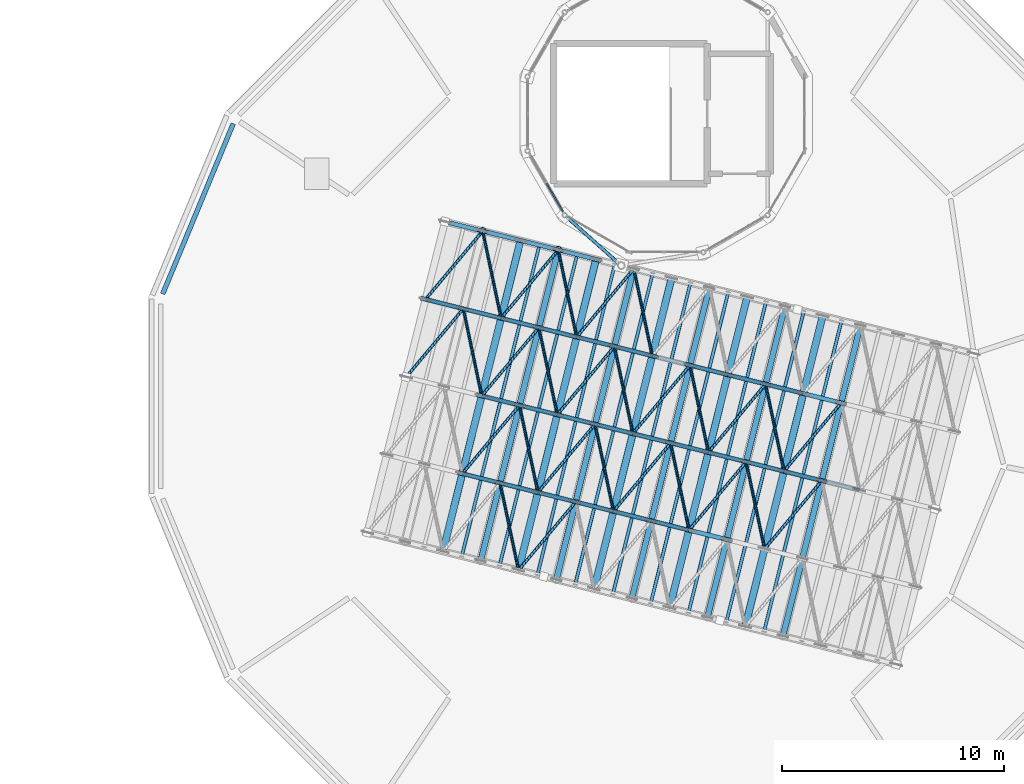
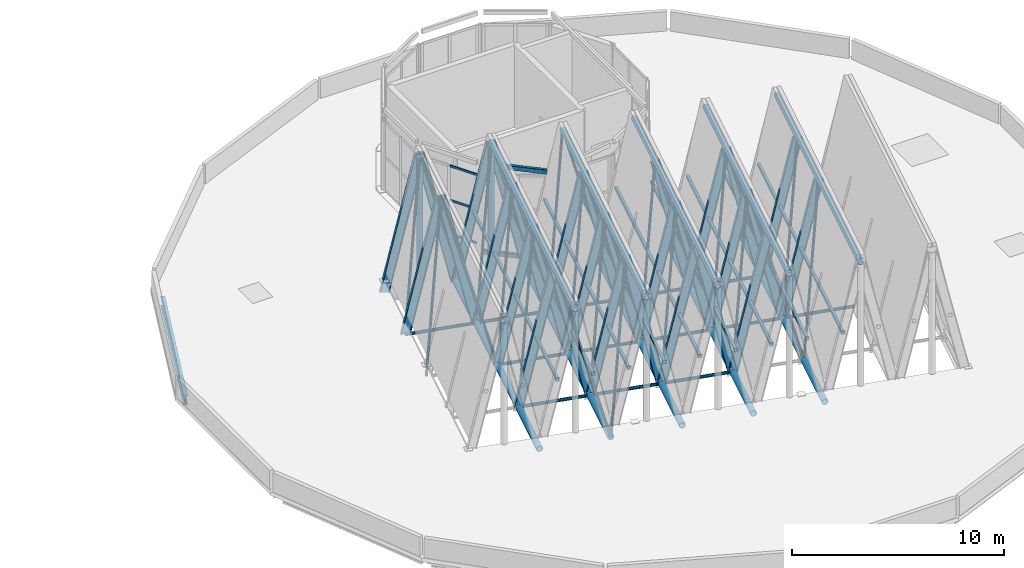
# One storey, part 12 of 51: 95 members, 3 beams, 1 element without a shape of its own.
"""IFC4 building model written with IfcOpenShell, lengths in metres."""

from ifc_helpers import new_model, si_unit, direction, frame, origin, origin_2d, place, context, subcontext, project, spatial, rectangle, hollow_rectangle, hollow_circle, i_section, extrude, material, material_profile, profile_set, type_object, element, aggregate, save


model = new_model("IFC4")

# Units and contexts
model_context = context("Model", 3, precision=1e-05, world=origin(), true_north=direction((0.0, 1.0)))
body_context = subcontext(model_context, "Body", "Model", "MODEL_VIEW")
ifc_project = project(units=[si_unit("LENGTHUNIT", "METRE"), si_unit("AREAUNIT", "SQUARE_METRE"), si_unit("VOLUMEUNIT", "CUBIC_METRE"), si_unit("PLANEANGLEUNIT", "RADIAN"), si_unit("MASSUNIT", "GRAM", prefix="KILO")], contexts=[model_context])

# Site, building, storey
site_placement = place(None, origin())
site = spatial("IfcSite", under=ifc_project, at=site_placement, CompositionType="ELEMENT")
building_placement = place(site_placement, origin())
building = spatial("IfcBuilding", under=site, at=building_placement, Name="Wrenclough Park School", CompositionType="ELEMENT")
storey_placement = place(building_placement, frame((0.0, 0.0, 16.800048828125)))
storey = spatial("IfcBuildingStorey", under=building, at=storey_placement, Name="L04", CompositionType="ELEMENT", Elevation=16.800048828125)

# Curtain wall, members
ifc_material_1 = material(Name="Thermally broken aluminium and low-e glass curtain wall", Category="aluminium")
curtain_wall_type = type_object("IfcCurtainWallType", Name="ENV-CW-16", PredefinedType="USERDEFINED", material=ifc_material_1)
curtain_wall_placement = place(storey_placement, origin())
curtain_wall = element("IfcCurtainWall", 1, at=curtain_wall_placement, inside=storey, type_object=curtain_wall_type, Name="D1-SH cylindrical white-glazed stair-head curtain wall 184", ObjectType="CURTAIN WALL", PredefinedType="USERDEFINED")
ifc_material_2 = material(Name="Thermally broken anodised aluminium", Category="aluminium")
ifc_material_profile_1 = material_profile(ifc_material_2, rectangle(XDim=0.06005859375, YDim=0.1201171875, at=origin_2d()), Name="AL TRANSOM 60x120")
ifc_profile_set_1 = profile_set([ifc_material_profile_1], Name="Thermally broken anodised aluminium")
member_type_1 = type_object("IfcMemberType", Name="ENV-CWT-1", PredefinedType="USERDEFINED", material=ifc_profile_set_1)
member_1_placement = place(storey_placement, frame((150.829833984375, 36.06494140625, 0.030029296875), z_axis=(0.500037157592, -0.866003949776, 0.0), x_axis=(0.866003949776, 0.500037157592, 0.0)))
member_1 = element("IfcMember", 2, at=member_1_placement, type_object=member_type_1, Name="CW-16 transom 2.1", ObjectType="TRANSOM", PredefinedType="USERDEFINED", context=body_context, shape_type="SweptSolid", body=[
    extrude(rectangle(XDim=0.06005859375, YDim=0.1201171875, at=origin_2d()), origin(), (0.0, 0.0, 1.0), 1.455078125),
])
member_2_placement = place(storey_placement, frame((150.829833984375, 36.06494140625, 2.0), z_axis=(0.500037157592, -0.866003949776, 0.0), x_axis=(0.866003949776, 0.500037157592, 0.0)))
member_2 = element("IfcMember", 3, at=member_2_placement, type_object=member_type_1, Name="CW-16 transom 2.2", ObjectType="TRANSOM", PredefinedType="USERDEFINED", context=body_context, shape_type="SweptSolid", body=[
    extrude(rectangle(XDim=0.06005859375, YDim=0.1201171875, at=origin_2d()), origin(), (0.0, 0.0, 1.0), 1.455078125),
])
member_3_placement = place(storey_placement, frame((150.829833984375, 36.06494140625, 3.969970703125), z_axis=(0.500037157592, -0.866003949776, 0.0), x_axis=(0.866003949776, 0.500037157592, 0.0)))
member_3 = element("IfcMember", 4, at=member_3_placement, type_object=member_type_1, Name="CW-16 transom 2.3", ObjectType="TRANSOM", PredefinedType="USERDEFINED", context=body_context, shape_type="SweptSolid", body=[
    extrude(rectangle(XDim=0.06005859375, YDim=0.1201171875, at=origin_2d()), origin(), (0.0, 0.0, 1.0), 1.455078125),
])
aggregate(curtain_wall, [member_1, member_2, member_3])

# Beams
ifc_material_3 = material(Name="Structural steel S355", Category="steel")
ifc_material_profile_2 = material_profile(ifc_material_3, hollow_rectangle(XDim=0.14990234375, YDim=0.25, WallThickness=0.010009765625, InnerFilletRadius=0.010009765625, OuterFilletRadius=0.014892578125, at=origin_2d()), Name="RHS 250x150x10.0")
ifc_profile_set_2 = profile_set([ifc_material_profile_2], Name="Structural steel S355")
beam_type_1 = type_object("IfcBeamType", Name="STR-BM-RHS250", PredefinedType="SPANDREL", material=ifc_profile_set_2)
beam_1_placement = place(storey_placement, frame((151.737060546875, 34.552001953125, -0.364990234375), z_axis=(0.746401627071, -0.665495763402, 0.0), x_axis=(0.665495763402, 0.746401627071, 0.0)))
element("IfcBeam", 5, at=beam_1_placement, inside=storey, type_object=beam_type_1, Name="D1-SH L04 cylindrical ring beam 7", PredefinedType="SPANDREL", context=body_context, shape_type="SweptSolid", body=[
    extrude(hollow_rectangle(XDim=0.14990234375, YDim=0.25, WallThickness=0.010009765625, InnerFilletRadius=0.010009765625, OuterFilletRadius=0.014892578125, at=origin_2d()), origin(), (0.0, 0.0, 1.0), 3.1171875),
])
beam_2_placement = place(storey_placement, frame((151.758544921875, 34.53271484375, 4.679931640625), z_axis=(0.746403838858, -0.665493282715, 0.0), x_axis=(0.665493282715, 0.746403838858, 0.0)))
element("IfcBeam", 6, at=beam_2_placement, inside=storey, type_object=beam_type_1, Name="D1-SH L05 top cylindrical eave ring beam 7", PredefinedType="SPANDREL", context=body_context, shape_type="SweptSolid", body=[
    extrude(hollow_rectangle(XDim=0.14990234375, YDim=0.25, WallThickness=0.010009765625, InnerFilletRadius=0.010009765625, OuterFilletRadius=0.014892578125, at=origin_2d()), origin(), (0.0, 0.0, 1.0), 3.083740234375),
])
ifc_material_profile_3 = material_profile(ifc_material_3, i_section(OverallWidth=0.210693359375, OverallDepth=0.53955078125, WebThickness=0.01171875, FlangeThickness=0.018798828125, FilletRadius=0.0126953125, at=origin_2d()), Name="UKB 533x210x109")
ifc_profile_set_3 = profile_set([ifc_material_profile_3], Name="Structural steel S355")
beam_type_2 = type_object("IfcBeamType", Name="STR-BM-UKB533B", PredefinedType="SPANDREL", material=ifc_profile_set_3)
beam_3_placement = place(storey_placement, frame((136.74169921875, 38.7509765625, -0.49462890625), z_axis=(-0.382679925467, -0.923880985108, 0.0), x_axis=(0.923880985108, -0.382679925467, 0.0)))
element("IfcBeam", 7, at=beam_3_placement, inside=storey, type_object=beam_type_2, Name="D1 L04 outer ring spandrel beam 7", PredefinedType="SPANDREL", context=body_context, shape_type="SweptSolid", body=[
    extrude(i_section(OverallWidth=0.210693359375, OverallDepth=0.53955078125, WebThickness=0.01171875, FlangeThickness=0.018798828125, FilletRadius=0.0126953125, at=origin_2d()), origin(), (0.0, 0.0, 1.0), 8.279541015625),
])

# Members
ifc_material_profile_4 = material_profile(ifc_material_3, hollow_circle(Radius=0.06982421875, WallThickness=0.008056640625, at=origin_2d()), Name="CHS 139.7x8.0")
ifc_profile_set_4 = profile_set([ifc_material_profile_4], Name="Structural steel S355")
member_type_2 = type_object("IfcMemberType", Name="STR-MEM-BRACE1", PredefinedType="BRACE", material=ifc_profile_set_4)
for number, where, z_axis, x_axis, name in (
    (8, (144.513916015625, 27.363525390625, -0.68017578125), (0.296538189213, 0.35434087179, 0.886852664718), (-0.766884728376, 0.641784865344, 0.0), "D1 folded-plane diagonal brace 1.3L"),
    (9, (147.909912109375, 26.516845703125, -0.68017578125), (-0.095482951878, 0.452078521568, 0.88685287181), (-0.978414967241, -0.206649829126, 0.0), "D1 folded-plane diagonal brace 1.3R"),
    (10, (145.384765625, 30.856689453125, -0.68017578125), (0.296538189213, 0.35434087179, 0.886852664718), (-0.766884728376, 0.641784865344, 0.0), "D1 folded-plane diagonal brace 1.4L"),
    (11, (148.78076171875, 30.010009765625, -0.68017578125), (-0.095482951878, 0.452078521568, 0.88685287181), (-0.978414967241, -0.206649829126, 0.0), "D1 folded-plane diagonal brace 1.4R"),
    (12, (149.564208984375, 18.68408203125, -0.68017578125), (-0.095482951878, 0.452078521568, 0.88685287181), (-0.978414967241, -0.206649829126, 0.0), "D1 folded-plane diagonal brace 2.1R"),
    (13, (147.0390625, 23.023681640625, -0.68017578125), (0.296535227827, 0.354365515558, 0.886843808142), (-0.766909849533, 0.641754846253, 0.0), "D1 folded-plane diagonal brace 2.2L"),
    (14, (150.43505859375, 22.177001953125, -0.68017578125), (-0.095481735335, 0.452100943992, 0.886841572469), (-0.978417571733, -0.206637497384, 0.0), "D1 folded-plane diagonal brace 2.2R"),
    (15, (147.909912109375, 26.516845703125, -0.68017578125), (0.296538189213, 0.35434087179, 0.886852664718), (-0.766884728376, 0.641784865344, 0.0), "D1 folded-plane diagonal brace 2.3L"),
    (16, (151.305908203125, 25.670166015625, -0.68017578125), (-0.095482951878, 0.452078521568, 0.88685287181), (-0.978414967241, -0.206649829126, 0.0), "D1 folded-plane diagonal brace 2.3R"),
    (17, (148.78076171875, 30.010009765625, -0.68017578125), (0.296563893332, 0.354337910374, 0.886845252816), (-0.766854708709, 0.641820734887, 0.0), "D1 folded-plane diagonal brace 2.4L"),
    (18, (152.177001953125, 29.1630859375, -0.68017578125), (-0.095481735335, 0.452100943992, 0.886841572469), (-0.978417571733, -0.206637497384, 0.0), "D1 folded-plane diagonal brace 2.4R"),
    (19, (149.564208984375, 18.68408203125, -0.68017578125), (0.296538189213, 0.35434087179, 0.886852664718), (-0.766884728376, 0.641784865344, 0.0), "D1 folded-plane diagonal brace 3.1L"),
    (20, (150.43505859375, 22.177001953125, -0.68017578125), (0.296538189213, 0.35434087179, 0.886852664718), (-0.766884728376, 0.641784865344, 0.0), "D1 folded-plane diagonal brace 3.2L"),
    (21, (153.8310546875, 21.330322265625, -0.68017578125), (-0.095482951878, 0.452078521568, 0.88685287181), (-0.978414967241, -0.206649829126, 0.0), "D1 folded-plane diagonal brace 3.2R"),
    (22, (151.305908203125, 25.670166015625, -0.68017578125), (0.296563893332, 0.354337910374, 0.886845252816), (-0.766854708709, 0.641820734887, 0.0), "D1 folded-plane diagonal brace 3.3L"),
    (23, (154.701904296875, 24.823486328125, -0.68017578125), (-0.095455026017, 0.452079737922, 0.886855257959), (-0.978427298117, -0.20659143811, 0.0), "D1 folded-plane diagonal brace 3.3R"),
    (24, (152.177001953125, 29.1630859375, -0.68017578125), (0.296535227827, 0.354365515558, 0.886843808142), (-0.766909849533, 0.641754846253, 0.0), "D1 folded-plane diagonal brace 3.4L"),
    (25, (155.572998046875, 28.31640625, -0.68017578125), (-0.095481735335, 0.452100943992, 0.886841572469), (-0.978417571733, -0.206637497384, 0.0), "D1 folded-plane diagonal brace 3.4R"),
    (26, (153.8310546875, 21.330322265625, -0.68017578125), (0.296538189213, 0.35434087179, 0.886852664718), (-0.766884728376, 0.641784865344, 0.0), "D1 folded-plane diagonal brace 4.2L"),
    (27, (157.22705078125, 20.483642578125, -0.68017578125), (-0.095482951878, 0.452078521568, 0.88685287181), (-0.978414967241, -0.206649829126, 0.0), "D1 folded-plane diagonal brace 4.2R"),
    (28, (154.701904296875, 24.823486328125, -0.68017578125), (0.296563893332, 0.354337910374, 0.886845252816), (-0.766854708709, 0.641820734887, 0.0), "D1 folded-plane diagonal brace 4.3L"),
    (29, (158.097900390625, 23.9765625, -0.68017578125), (-0.095453809824, 0.452102160375, 0.886843958526), (-0.978429901169, -0.206579109541, 0.0), "D1 folded-plane diagonal brace 4.3R"),
    (30, (157.22705078125, 20.483642578125, -0.68017578125), (0.296538189213, 0.35434087179, 0.886852664718), (-0.766884728376, 0.641784865344, 0.0), "D1 folded-plane diagonal brace 5.2L"),
    (31, (160.623046875, 19.63671875, -0.68017578125), (-0.095481735335, 0.452100943992, 0.886841572469), (-0.978417571733, -0.206637497384, 0.0), "D1 folded-plane diagonal brace 5.2R"),
    (32, (158.097900390625, 23.9765625, -0.68017578125), (0.29656093174, 0.354362553995, 0.886836396463), (-0.766879831691, 0.641790716469, 0.0), "D1 folded-plane diagonal brace 5.3L"),
    (33, (161.494140625, 23.1298828125, -0.68017578125), (-0.095481735335, 0.452100943992, 0.886841572469), (-0.978417571733, -0.206637497384, 0.0), "D1 folded-plane diagonal brace 5.3R"),
    (34, (160.623046875, 19.63671875, -0.68017578125), (0.29656093174, 0.354362553995, 0.886836396463), (-0.766879831691, 0.641790716469, 0.0), "D1 folded-plane diagonal brace 6.2L"),
    (35, (161.494140625, 23.1298828125, -0.68017578125), (0.296535227827, 0.354365515558, 0.886843808142), (-0.766909849533, 0.641754846253, 0.0), "D1 folded-plane diagonal brace 6.3L"),
):
    element("IfcMember", number, at=place(storey_placement, frame(where, z_axis=z_axis, x_axis=x_axis)), inside=storey, type_object=member_type_2, Name=name, PredefinedType="BRACE", context=body_context, shape_type="SweptSolid", body=[
        extrude(hollow_circle(Radius=0.06982421875, WallThickness=0.008056640625, at=origin_2d()), origin(), (0.0, 0.0, 1.0), 8.662841796875),
    ])
ifc_material_profile_5 = material_profile(ifc_material_3, hollow_circle(Radius=0.084228515625, WallThickness=0.010009765625, at=origin_2d()), Name="CHS 168.3x10.0")
ifc_profile_set_5 = profile_set([ifc_material_profile_5], Name="Structural steel S355")
member_type_3 = type_object("IfcMemberType", Name="STR-MEM-BRACE2", PredefinedType="BRACE", material=ifc_profile_set_5)
for number, where, z_axis, x_axis, name in (
    (36, (145.384765625, 30.856689453125, -0.68017578125), (0.970298223594, -0.241911879182, 0.0), (0.241911879182, 0.970298223594, 0.0), "D1 bay 1 frame 4 tie member"),
    (37, (147.0390625, 23.023681640625, -0.68017578125), (0.970298223594, -0.241911879182, 0.0), (0.241911879182, 0.970298223594, 0.0), "D1 bay 2 frame 2 tie member"),
    (38, (147.909912109375, 26.516845703125, -0.68017578125), (0.970298223594, -0.241911879182, 0.0), (0.241911879182, 0.970298223594, 0.0), "D1 bay 2 frame 3 tie member"),
):
    element("IfcMember", number, at=place(storey_placement, frame(where, z_axis=z_axis, x_axis=x_axis)), inside=storey, type_object=member_type_3, Name=name, PredefinedType="BRACE", context=body_context, shape_type="SweptSolid", body=[
        extrude(hollow_circle(Radius=0.084228515625, WallThickness=0.010009765625, at=origin_2d()), origin(), (0.0, 0.0, 1.0), 3.5),
    ])
member_4_placement = place(storey_placement, frame((148.78076171875, 30.010009765625, -0.68017578125), z_axis=(0.970285932102, -0.241961174499, 0.0), x_axis=(0.241961174499, 0.970285932102, 0.0)))
element("IfcMember", 39, at=member_4_placement, inside=storey, type_object=member_type_3, Name="D1 bay 2 frame 4 tie member", PredefinedType="BRACE", context=body_context, shape_type="SweptSolid", body=[
    extrude(hollow_circle(Radius=0.084228515625, WallThickness=0.010009765625, at=origin_2d()), origin(), (0.0, 0.0, 1.0), 3.500244140625),
])
for number, where, z_axis, x_axis, name in (
    (40, (150.43505859375, 22.177001953125, -0.68017578125), (0.970298223594, -0.241911879182, 0.0), (0.241911879182, 0.970298223594, 0.0), "D1 bay 3 frame 2 tie member"),
    (41, (151.305908203125, 25.670166015625, -0.68017578125), (0.970298223594, -0.241911879182, 0.0), (0.241911879182, 0.970298223594, 0.0), "D1 bay 3 frame 3 tie member"),
    (42, (152.177001953125, 29.1630859375, -0.68017578125), (0.970298223594, -0.241911879182, 0.0), (0.241911879182, 0.970298223594, 0.0), "D1 bay 3 frame 4 tie member"),
    (43, (153.8310546875, 21.330322265625, -0.68017578125), (0.970298223594, -0.241911879182, 0.0), (0.241911879182, 0.970298223594, 0.0), "D1 bay 4 frame 2 tie member"),
    (44, (154.701904296875, 24.823486328125, -0.68017578125), (0.970281848186, -0.24197755078, 0.0), (0.24197755078, 0.970281848186, 0.0), "D1 bay 4 frame 3 tie member"),
    (45, (155.572998046875, 28.31640625, -0.68017578125), (0.970298223594, -0.241911879182, 0.0), (0.241911879182, 0.970298223594, 0.0), "D1 bay 4 frame 4 tie member"),
):
    element("IfcMember", number, at=place(storey_placement, frame(where, z_axis=z_axis, x_axis=x_axis)), inside=storey, type_object=member_type_3, Name=name, PredefinedType="BRACE", context=body_context, shape_type="SweptSolid", body=[
        extrude(hollow_circle(Radius=0.084228515625, WallThickness=0.010009765625, at=origin_2d()), origin(), (0.0, 0.0, 1.0), 3.5),
    ])
member_5_placement = place(storey_placement, frame((158.097900390625, 23.9765625, -0.68017578125), z_axis=(0.970302305363, -0.241895506793, 0.0), x_axis=(0.241895506793, 0.970302305363, 0.0)))
element("IfcMember", 46, at=member_5_placement, inside=storey, type_object=member_type_3, Name="D1 bay 5 frame 3 tie member", PredefinedType="BRACE", context=body_context, shape_type="SweptSolid", body=[
    extrude(hollow_circle(Radius=0.084228515625, WallThickness=0.010009765625, at=origin_2d()), origin(), (0.0, 0.0, 1.0), 3.500244140625),
])
for number, where, z_axis, x_axis, name in (
    (47, (158.968994140625, 27.4697265625, -0.68017578125), (0.970298223594, -0.241911879182, 0.0), (0.241911879182, 0.970298223594, 0.0), "D1 bay 5 frame 4 tie member"),
    (48, (161.494140625, 23.1298828125, -0.68017578125), (0.970298223594, -0.241911879182, 0.0), (0.241911879182, 0.970298223594, 0.0), "D1 bay 6 frame 3 tie member"),
):
    element("IfcMember", number, at=place(storey_placement, frame(where, z_axis=z_axis, x_axis=x_axis)), inside=storey, type_object=member_type_3, Name=name, PredefinedType="BRACE", context=body_context, shape_type="SweptSolid", body=[
        extrude(hollow_circle(Radius=0.084228515625, WallThickness=0.010009765625, at=origin_2d()), origin(), (0.0, 0.0, 1.0), 3.5),
    ])
ifc_material_profile_6 = material_profile(ifc_material_3, hollow_circle(Radius=0.136474609375, WallThickness=0.012451171875, at=origin_2d()), Name="CHS 273.0x12.5")
ifc_profile_set_6 = profile_set([ifc_material_profile_6], Name="Structural steel S355")
member_type_4 = type_object("IfcMemberType", Name="STR-MEM-CHORD1", PredefinedType="CHORD", material=ifc_profile_set_6)
member_6_placement = place(storey_placement, frame((147.8662109375, 19.107421875, 7.00244140625), z_axis=(0.241921231535, 0.970295891846, 0.0), x_axis=(-0.970295891846, 0.241921231535, 0.0)))
element("IfcMember", 49, at=member_6_placement, inside=storey, type_object=member_type_4, Name="D1 folded-plate ridge chord 2", PredefinedType="CHORD", context=body_context, shape_type="SweptSolid", body=[
    extrude(hollow_circle(Radius=0.136474609375, WallThickness=0.012451171875, at=origin_2d()), origin(), (0.0, 0.0, 1.0), 14.39990234375),
])
member_7_placement = place(storey_placement, frame((151.26220703125, 18.260498046875, 7.00244140625), z_axis=(0.241917251822, 0.970296884088, 0.0), x_axis=(-0.970296884088, 0.241917251822, 0.0)))
element("IfcMember", 50, at=member_7_placement, inside=storey, type_object=member_type_4, Name="D1 folded-plate ridge chord 3", PredefinedType="CHORD", context=body_context, shape_type="SweptSolid", body=[
    extrude(hollow_circle(Radius=0.136474609375, WallThickness=0.012451171875, at=origin_2d()), origin(), (0.0, 0.0, 1.0), 14.400146484375),
])
for number, where, z_axis, x_axis, name in (
    (51, (154.658203125, 17.413818359375, 7.00244140625), (0.241921231535, 0.970295891846, 0.0), (-0.970295891846, 0.241921231535, 0.0), "D1 folded-plate ridge chord 4"),
    (52, (158.05419921875, 16.567138671875, 7.00244140625), (0.241921231535, 0.970295891846, 0.0), (-0.970295891846, 0.241921231535, 0.0), "D1 folded-plate ridge chord 5"),
    (53, (161.4501953125, 15.720458984375, 7.00244140625), (0.241921231535, 0.970295891846, 0.0), (-0.970295891846, 0.241921231535, 0.0), "D1 folded-plate ridge chord 6"),
):
    element("IfcMember", number, at=place(storey_placement, frame(where, z_axis=z_axis, x_axis=x_axis)), inside=storey, type_object=member_type_4, Name=name, PredefinedType="CHORD", context=body_context, shape_type="SweptSolid", body=[
        extrude(hollow_circle(Radius=0.136474609375, WallThickness=0.012451171875, at=origin_2d()), origin(), (0.0, 0.0, 1.0), 14.39990234375),
    ])
ifc_material_profile_7 = material_profile(ifc_material_3, hollow_circle(Radius=0.161865234375, WallThickness=0.01611328125, at=origin_2d()), Name="CHS 323.9x16.0")
ifc_profile_set_7 = profile_set([ifc_material_profile_7], Name="Structural steel S355")
member_type_5 = type_object("IfcMemberType", Name="STR-MEM-CHORD2", PredefinedType="CHORD", material=ifc_profile_set_7)
for number, where, z_axis, x_axis, name in (
    (54, (146.168212890625, 19.53076171875, -0.68017578125), (0.241921231535, 0.970295891846, 0.0), (-0.970295891846, 0.241921231535, 0.0), "D1 folded-plate valley chord 1"),
    (55, (149.564208984375, 18.68408203125, -0.68017578125), (0.241921231535, 0.970295891846, 0.0), (-0.970295891846, 0.241921231535, 0.0), "D1 folded-plate valley chord 2"),
):
    element("IfcMember", number, at=place(storey_placement, frame(where, z_axis=z_axis, x_axis=x_axis)), inside=storey, type_object=member_type_5, Name=name, PredefinedType="CHORD", context=body_context, shape_type="SweptSolid", body=[
        extrude(hollow_circle(Radius=0.161865234375, WallThickness=0.01611328125, at=origin_2d()), origin(), (0.0, 0.0, 1.0), 14.39990234375),
    ])
for number, where, z_axis, x_axis, name in (
    (56, (152.960205078125, 17.837158203125, -0.68017578125), (0.241917251822, 0.970296884088, 0.0), (-0.970296884088, 0.241917251822, 0.0), "D1 folded-plate valley chord 3"),
    (57, (156.356201171875, 16.990478515625, -0.68017578125), (0.241917251822, 0.970296884088, 0.0), (-0.970296884088, 0.241917251822, 0.0), "D1 folded-plate valley chord 4"),
):
    element("IfcMember", number, at=place(storey_placement, frame(where, z_axis=z_axis, x_axis=x_axis)), inside=storey, type_object=member_type_5, Name=name, PredefinedType="CHORD", context=body_context, shape_type="SweptSolid", body=[
        extrude(hollow_circle(Radius=0.161865234375, WallThickness=0.01611328125, at=origin_2d()), origin(), (0.0, 0.0, 1.0), 14.400146484375),
    ])
member_8_placement = place(storey_placement, frame((159.752197265625, 16.143798828125, -0.68017578125), z_axis=(0.241921231535, 0.970295891846, 0.0), x_axis=(-0.970295891846, 0.241921231535, 0.0)))
element("IfcMember", 58, at=member_8_placement, inside=storey, type_object=member_type_5, Name="D1 folded-plate valley chord 5", PredefinedType="CHORD", context=body_context, shape_type="SweptSolid", body=[
    extrude(hollow_circle(Radius=0.161865234375, WallThickness=0.01611328125, at=origin_2d()), origin(), (0.0, 0.0, 1.0), 14.39990234375),
])
for number, where, z_axis, x_axis, name in (
    (59, (147.95361328125, 33.92626953125, -0.68017578125), (0.0, 0.0, 1.0), (1.0, 0.0, 0.0), "D1 folded-plate gable king-post 1N"),
    (60, (151.349853515625, 33.07958984375, -0.68017578125), (0.0, 0.0, 1.0), (1.0, 0.0, 0.0), "D1 folded-plate gable king-post 2N"),
):
    element("IfcMember", number, at=place(storey_placement, frame(where, z_axis=z_axis, x_axis=x_axis)), inside=storey, type_object=member_type_5, Name=name, PredefinedType="CHORD", context=body_context, shape_type="SweptSolid", body=[
        extrude(hollow_circle(Radius=0.161865234375, WallThickness=0.01611328125, at=origin_2d()), origin(), (0.0, 0.0, 1.0), 7.6826171875),
    ])
ifc_material_profile_8 = material_profile(ifc_material_3, hollow_rectangle(XDim=0.14990234375, YDim=0.14990234375, WallThickness=0.008056640625, InnerFilletRadius=0.008056640625, OuterFilletRadius=0.011962890625, at=origin_2d()), Name="SHS 150x150x8.0")
ifc_profile_set_8 = profile_set([ifc_material_profile_8], Name="Structural steel S355")
member_type_6 = type_object("IfcMemberType", Name="STR-MEM-PURLIN1", PredefinedType="PURLIN", material=ifc_profile_set_8)
member_9_placement = place(storey_placement, frame((147.01708984375, 19.319091796875, 3.1611328125), z_axis=(0.241921231535, 0.970295891846, 0.0), x_axis=(-0.970295891846, 0.241921231535, 0.0)))
element("IfcMember", 61, at=member_9_placement, inside=storey, type_object=member_type_6, Name="D1 folded-plate purlin 2L", PredefinedType="PURLIN", context=body_context, shape_type="SweptSolid", body=[
    extrude(hollow_rectangle(XDim=0.14990234375, YDim=0.14990234375, WallThickness=0.008056640625, InnerFilletRadius=0.008056640625, OuterFilletRadius=0.011962890625, at=origin_2d()), origin(), (0.0, 0.0, 1.0), 14.39990234375),
])
member_10_placement = place(storey_placement, frame((148.715087890625, 18.8955078125, 3.1611328125), z_axis=(0.241917251822, 0.970296884088, 0.0), x_axis=(-0.970296884088, 0.241917251822, 0.0)))
element("IfcMember", 62, at=member_10_placement, inside=storey, type_object=member_type_6, Name="D1 folded-plate purlin 2R", PredefinedType="PURLIN", context=body_context, shape_type="SweptSolid", body=[
    extrude(hollow_rectangle(XDim=0.14990234375, YDim=0.14990234375, WallThickness=0.008056640625, InnerFilletRadius=0.008056640625, OuterFilletRadius=0.011962890625, at=origin_2d()), origin(), (0.0, 0.0, 1.0), 14.400146484375),
])
member_11_placement = place(storey_placement, frame((150.4130859375, 18.472412109375, 3.1611328125), z_axis=(0.241921231535, 0.970295891846, 0.0), x_axis=(-0.970295891846, 0.241921231535, 0.0)))
element("IfcMember", 63, at=member_11_placement, inside=storey, type_object=member_type_6, Name="D1 folded-plate purlin 3L", PredefinedType="PURLIN", context=body_context, shape_type="SweptSolid", body=[
    extrude(hollow_rectangle(XDim=0.14990234375, YDim=0.14990234375, WallThickness=0.008056640625, InnerFilletRadius=0.008056640625, OuterFilletRadius=0.011962890625, at=origin_2d()), origin(), (0.0, 0.0, 1.0), 14.39990234375),
])
for number, where, z_axis, x_axis, name in (
    (64, (152.111083984375, 18.048828125, 3.1611328125), (0.241917251822, 0.970296884088, 0.0), (-0.970296884088, 0.241917251822, 0.0), "D1 folded-plate purlin 3R"),
    (65, (153.80908203125, 17.62548828125, 3.1611328125), (0.241917251822, 0.970296884088, 0.0), (-0.970296884088, 0.241917251822, 0.0), "D1 folded-plate purlin 4L"),
):
    element("IfcMember", number, at=place(storey_placement, frame(where, z_axis=z_axis, x_axis=x_axis)), inside=storey, type_object=member_type_6, Name=name, PredefinedType="PURLIN", context=body_context, shape_type="SweptSolid", body=[
        extrude(hollow_rectangle(XDim=0.14990234375, YDim=0.14990234375, WallThickness=0.008056640625, InnerFilletRadius=0.008056640625, OuterFilletRadius=0.011962890625, at=origin_2d()), origin(), (0.0, 0.0, 1.0), 14.400146484375),
    ])
member_12_placement = place(storey_placement, frame((155.507080078125, 17.2021484375, 3.1611328125), z_axis=(0.241921231535, 0.970295891846, 0.0), x_axis=(-0.970295891846, 0.241921231535, 0.0)))
element("IfcMember", 66, at=member_12_placement, inside=storey, type_object=member_type_6, Name="D1 folded-plate purlin 4R", PredefinedType="PURLIN", context=body_context, shape_type="SweptSolid", body=[
    extrude(hollow_rectangle(XDim=0.14990234375, YDim=0.14990234375, WallThickness=0.008056640625, InnerFilletRadius=0.008056640625, OuterFilletRadius=0.011962890625, at=origin_2d()), origin(), (0.0, 0.0, 1.0), 14.39990234375),
])
member_13_placement = place(storey_placement, frame((157.205078125, 16.77880859375, 3.1611328125), z_axis=(0.24193321355, 0.970292904324, 0.0), x_axis=(-0.970292904324, 0.24193321355, 0.0)))
element("IfcMember", 67, at=member_13_placement, inside=storey, type_object=member_type_6, Name="D1 folded-plate purlin 5L", PredefinedType="PURLIN", context=body_context, shape_type="SweptSolid", body=[
    extrude(hollow_rectangle(XDim=0.14990234375, YDim=0.14990234375, WallThickness=0.008056640625, InnerFilletRadius=0.008056640625, OuterFilletRadius=0.011962890625, at=origin_2d()), origin(), (0.0, 0.0, 1.0), 14.400146484375),
])
for number, where, z_axis, x_axis, name in (
    (68, (158.9033203125, 16.35546875, 3.1611328125), (0.241921231535, 0.970295891846, 0.0), (-0.970295891846, 0.241921231535, 0.0), "D1 folded-plate purlin 5R"),
    (69, (160.601318359375, 15.93212890625, 3.1611328125), (0.241921231535, 0.970295891846, 0.0), (-0.970295891846, 0.241921231535, 0.0), "D1 folded-plate purlin 6L"),
):
    element("IfcMember", number, at=place(storey_placement, frame(where, z_axis=z_axis, x_axis=x_axis)), inside=storey, type_object=member_type_6, Name=name, PredefinedType="PURLIN", context=body_context, shape_type="SweptSolid", body=[
        extrude(hollow_rectangle(XDim=0.14990234375, YDim=0.14990234375, WallThickness=0.008056640625, InnerFilletRadius=0.008056640625, OuterFilletRadius=0.011962890625, at=origin_2d()), origin(), (0.0, 0.0, 1.0), 14.39990234375),
    ])
ifc_material_profile_9 = material_profile(ifc_material_3, i_section(OverallWidth=0.19140625, OverallDepth=0.4599609375, WebThickness=0.010009765625, FlangeThickness=0.01611328125, FilletRadius=0.01025390625, at=origin_2d()), Name="UKB 457x191x82")
ifc_profile_set_9 = profile_set([ifc_material_profile_9], Name="Structural steel S355")
member_type_7 = type_object("IfcMemberType", Name="STR-MEM-RAFTER1", PredefinedType="RAFTER", material=ifc_profile_set_9)
for number, where, z_axis, x_axis, name in (
    (70, (145.384765625, 30.856689453125, -0.68017578125), (0.215497902571, -0.053758283388, 0.975023436105), (0.242043219053, 0.970265468885, 0.0), "D1 bay 1 frame 4 west rafter"),
    (71, (147.082763671875, 30.43310546875, 7.00244140625), (0.215498620062, -0.053696492964, -0.975026682401), (0.241780526013, 0.970330962734, 0.0), "D1 bay 1 frame 4 east rafter"),
    (72, (146.255615234375, 34.349609375, -0.68017578125), (0.215498261419, -0.053727388253, 0.975025059717), (0.241911879182, 0.970298223594, 0.0), "D1 bay 1 frame 5 west rafter"),
    (73, (147.95361328125, 33.92626953125, 7.00244140625), (0.215527806864, -0.053727029486, -0.975018548937), (0.241879136551, 0.970306386303, 0.0), "D1 bay 1 frame 5 east rafter"),
    (74, (147.0390625, 23.023681640625, -0.68017578125), (0.215498261419, -0.053727388253, 0.975025059717), (0.241911879182, 0.970298223594, 0.0), "D1 bay 2 frame 2 west rafter"),
    (75, (148.737060546875, 22.600341796875, 7.00244140625), (0.215498261419, -0.053727388253, -0.975025059717), (0.241911879182, 0.970298223594, 0.0), "D1 bay 2 frame 2 east rafter"),
    (76, (147.909912109375, 26.516845703125, -0.68017578125), (0.215498261419, -0.053727388253, 0.975025059717), (0.241911879182, 0.970298223594, 0.0), "D1 bay 2 frame 3 west rafter"),
    (77, (149.60791015625, 26.093505859375, 7.00244140625), (0.215498261419, -0.053727388253, -0.975025059717), (0.241911879182, 0.970298223594, 0.0), "D1 bay 2 frame 3 east rafter"),
    (78, (148.78076171875, 30.010009765625, -0.68017578125), (0.215497902571, -0.053758283388, 0.975023436105), (0.242043219053, 0.970265468885, 0.0), "D1 bay 2 frame 4 west rafter"),
    (79, (150.478759765625, 29.58642578125, 7.00244140625), (0.215527806864, -0.053727029486, -0.975018548937), (0.241879136551, 0.970306386303, 0.0), "D1 bay 2 frame 4 east rafter"),
    (80, (149.65185546875, 33.5029296875, -0.68017578125), (0.215498261419, -0.053727388253, 0.975025059717), (0.241911879182, 0.970298223594, 0.0), "D1 bay 2 frame 5 west rafter"),
    (81, (151.349853515625, 33.07958984375, 7.00244140625), (0.215498261419, -0.053727388253, -0.975025059717), (0.241911879182, 0.970298223594, 0.0), "D1 bay 2 frame 5 east rafter"),
    (82, (150.43505859375, 22.177001953125, -0.68017578125), (0.215498261419, -0.053727388253, 0.975025059717), (0.241911879182, 0.970298223594, 0.0), "D1 bay 3 frame 2 west rafter"),
    (83, (152.133056640625, 21.753662109375, 7.00244140625), (0.215498261419, -0.053727388253, -0.975025059717), (0.241911879182, 0.970298223594, 0.0), "D1 bay 3 frame 2 east rafter"),
    (84, (151.305908203125, 25.670166015625, -0.68017578125), (0.215497902571, -0.053758283388, 0.975023436105), (0.242043219053, 0.970265468885, 0.0), "D1 bay 3 frame 3 west rafter"),
    (85, (153.00390625, 25.24658203125, 7.00244140625), (0.215498620062, -0.053696492964, -0.975026682401), (0.241780526013, 0.970330962734, 0.0), "D1 bay 3 frame 3 east rafter"),
    (86, (152.177001953125, 29.1630859375, -0.68017578125), (0.215498261419, -0.053727388253, 0.975025059717), (0.241911879182, 0.970298223594, 0.0), "D1 bay 3 frame 4 west rafter"),
    (87, (153.875, 28.73974609375, 7.00244140625), (0.215498261419, -0.053727388253, -0.975025059717), (0.241911879182, 0.970298223594, 0.0), "D1 bay 3 frame 4 east rafter"),
    (88, (153.8310546875, 21.330322265625, -0.68017578125), (0.215498261419, -0.053727388253, 0.975025059717), (0.241911879182, 0.970298223594, 0.0), "D1 bay 4 frame 2 west rafter"),
    (89, (155.529052734375, 20.906982421875, 7.00244140625), (0.215498261419, -0.053727388253, -0.975025059717), (0.241911879182, 0.970298223594, 0.0), "D1 bay 4 frame 2 east rafter"),
    (90, (154.701904296875, 24.823486328125, -0.68017578125), (0.215497902571, -0.053758283388, 0.975023436105), (0.242043219053, 0.970265468885, 0.0), "D1 bay 4 frame 3 west rafter"),
    (91, (156.39990234375, 24.39990234375, 7.00244140625), (0.215498261419, -0.053727388253, -0.975025059717), (0.241911879182, 0.970298223594, 0.0), "D1 bay 4 frame 3 east rafter"),
    (92, (157.27099609375, 27.89306640625, 7.00244140625), (0.215498261419, -0.053727388253, -0.975025059717), (0.241911879182, 0.970298223594, 0.0), "D1 bay 4 frame 4 east rafter"),
    (93, (157.22705078125, 20.483642578125, -0.68017578125), (0.215498261419, -0.053727388253, 0.975025059717), (0.241911879182, 0.970298223594, 0.0), "D1 bay 5 frame 2 west rafter"),
    (94, (158.097900390625, 23.9765625, -0.68017578125), (0.215498261419, -0.053727388253, 0.975025059717), (0.241911879182, 0.970298223594, 0.0), "D1 bay 5 frame 3 west rafter"),
    (95, (159.7958984375, 23.55322265625, 7.00244140625), (0.215527806864, -0.053727029486, -0.975018548937), (0.241879136551, 0.970306386303, 0.0), "D1 bay 5 frame 3 east rafter"),
    (96, (158.968994140625, 27.4697265625, -0.68017578125), (0.215498261419, -0.053727388253, 0.975025059717), (0.241911879182, 0.970298223594, 0.0), "D1 bay 5 frame 4 west rafter"),
    (97, (160.6669921875, 27.04638671875, 7.00244140625), (0.215498261419, -0.053727388253, -0.975025059717), (0.241911879182, 0.970298223594, 0.0), "D1 bay 5 frame 4 east rafter"),
    (98, (161.494140625, 23.1298828125, -0.68017578125), (0.215498261419, -0.053727388253, 0.975025059717), (0.241911879182, 0.970298223594, 0.0), "D1 bay 6 frame 3 west rafter"),
    (99, (162.364990234375, 26.623046875, -0.68017578125), (0.215498261419, -0.053727388253, 0.975025059717), (0.241911879182, 0.970298223594, 0.0), "D1 bay 6 frame 4 west rafter"),
):
    element("IfcMember", number, at=place(storey_placement, frame(where, z_axis=z_axis, x_axis=x_axis)), inside=storey, type_object=member_type_7, Name=name, PredefinedType="RAFTER", context=body_context, shape_type="SweptSolid", body=[
        extrude(i_section(OverallWidth=0.19140625, OverallDepth=0.4599609375, WebThickness=0.010009765625, FlangeThickness=0.01611328125, FilletRadius=0.01025390625, at=origin_2d()), origin(), (0.0, 0.0, 1.0), 7.87939453125),
    ])

save(model, "model.ifc")
